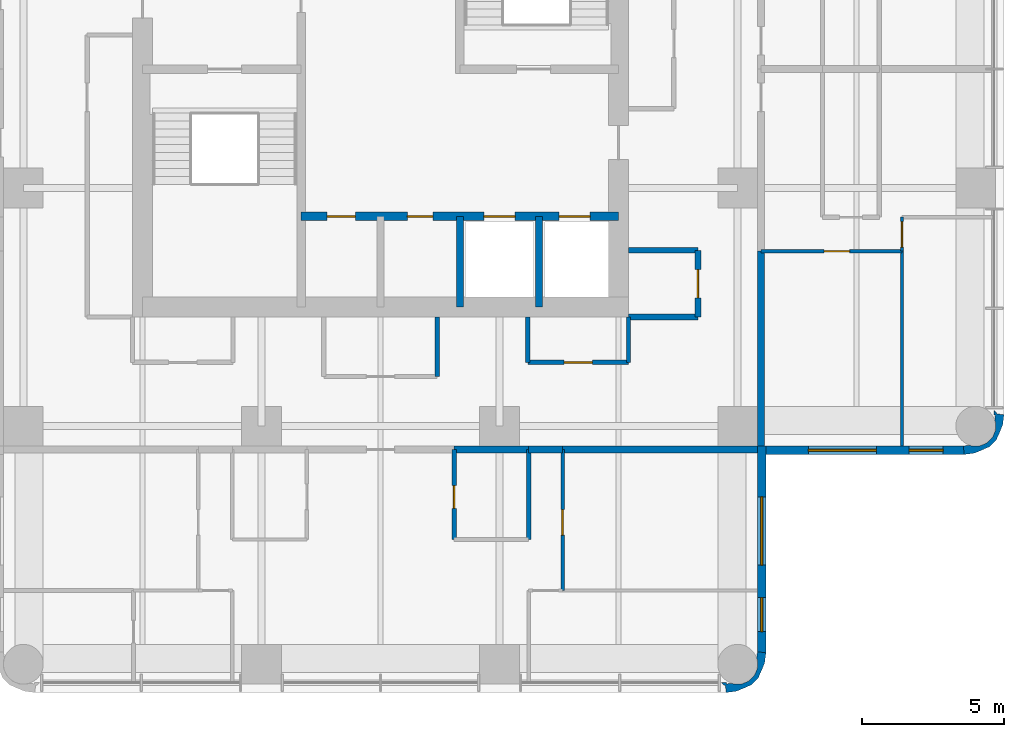
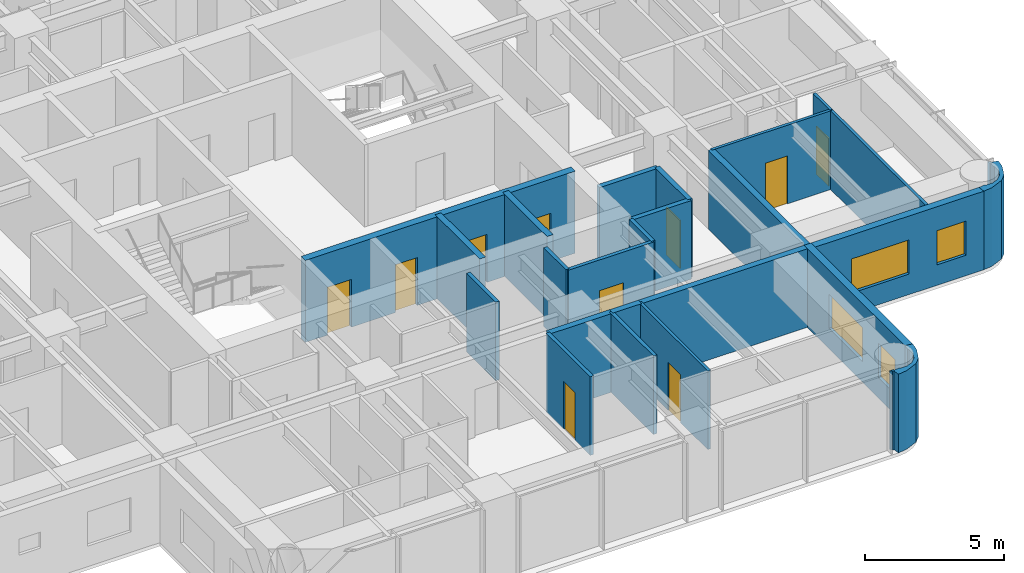
# One storey, part 7 of 11: 24 walls, 10 doors, 4 windows, 14 openings.
"""IFC4 building model written with IfcOpenShell, lengths in metres."""

import ifcopenshell
import ifcopenshell.guid

model = None  # the IFC model being written
_history = None  # IfcOwnerHistory: only IFC2X3 demands one
_inside = {}  # id of a spatial element -> (the spatial element, [elements in it])
_under = {}  # id of a project, library or spatial element -> (it, [spatial elements below it])
_declared = {}  # id of a project -> (the project, [libraries it declares])
_typed = {}  # id of a type object -> (the type object, [elements of that type])
_made_of = {}  # id of a material, layer set ... -> (it, [elements and type objects made of it])


def new_model(schema):
    """Start an empty IFC model of exactly this schema.

    Asked for "IFC4X3", IfcOpenShell would pick the latest addendum, in which some entities
    have other attributes; the version numbers below select the first issue.
    IFC2X3 requires an IfcOwnerHistory on every rooted entity: one is made here for all.
    """
    global model, _history
    if schema == "IFC4X3":
        model = ifcopenshell.file(schema_version=(4, 3, 0, 0))
    else:
        model = ifcopenshell.file(schema=schema)
    _inside.clear()
    _under.clear()
    _declared.clear()
    _typed.clear()
    _made_of.clear()
    _history = None
    if model.schema == "IFC2X3":
        org = make("IfcOrganization", Name="unknown")
        user = make(
            "IfcPersonAndOrganization",
            ThePerson=make("IfcPerson", FamilyName="unknown"),
            TheOrganization=org,
        )
        app = make(
            "IfcApplication",
            ApplicationDeveloper=org,
            Version="unknown",
            ApplicationFullName="unknown",
            ApplicationIdentifier="unknown",
        )
        _history = make(
            "IfcOwnerHistory",
            OwningUser=user,
            OwningApplication=app,
            ChangeAction="ADDED",
            CreationDate=0,
        )
    return model


def make(cls, **values):
    """One entity of the class cls with the attributes given. An attribute that is None is left unset."""
    return model.create_entity(
        cls, **{name: value for name, value in values.items() if value is not None}
    )


def rooted(cls, **values):
    """An entity with a GlobalId (a new one), such as an element, a storey or a relation."""
    return make(cls, GlobalId=ifcopenshell.guid.new(), OwnerHistory=_history, **values)


def si_unit(unit_type, name, prefix=None):
    """IfcSIUnit, for example si_unit("LENGTHUNIT", "METRE", prefix="MILLI")."""
    return make("IfcSIUnit", UnitType=unit_type, Prefix=prefix, Name=name)


def assignment(units):
    """IfcUnitAssignment: the units of a project."""
    return None if units is None else make("IfcUnitAssignment", Units=units)


def point(xyz):
    """IfcCartesianPoint."""
    return None if xyz is None else make("IfcCartesianPoint", Coordinates=xyz)


def direction(xyz):
    """IfcDirection."""
    return None if xyz is None else make("IfcDirection", DirectionRatios=xyz)


def frame(location, z_axis=None, x_axis=None):
    """IfcAxis2Placement3D, a coordinate frame: its origin and axes. An axis left out is left unset."""
    return make(
        "IfcAxis2Placement3D",
        Location=point(location),
        Axis=direction(z_axis),
        RefDirection=direction(x_axis),
    )


def frame_2d(location, x_axis=None):
    """IfcAxis2Placement2D, a coordinate frame in the plane: its origin and x axis."""
    return make(
        "IfcAxis2Placement2D", Location=point(location), RefDirection=direction(x_axis)
    )


def origin():
    """The frame at (0, 0, 0) with its axes left unset."""
    return frame((0.0, 0.0, 0.0))


def place(relative_to, where):
    """IfcLocalPlacement: puts the frame where relative to a parent placement (None: the world)."""
    return make(
        "IfcLocalPlacement", PlacementRelTo=relative_to, RelativePlacement=where
    )


def context(
    kind, dimensions, precision=None, world=None, true_north=None, identifier=None
):
    """IfcGeometricRepresentationContext, for example the 3D "Model" context."""
    return make(
        "IfcGeometricRepresentationContext",
        ContextIdentifier=identifier,
        ContextType=kind,
        CoordinateSpaceDimension=dimensions,
        Precision=precision,
        WorldCoordinateSystem=world,
        TrueNorth=true_north,
    )


def subcontext(parent, identifier, kind, view, scale=None):
    """IfcGeometricRepresentationSubContext, for example "Body" below "Model"."""
    return make(
        "IfcGeometricRepresentationSubContext",
        ContextIdentifier=identifier,
        ContextType=kind,
        ParentContext=parent,
        TargetScale=scale,
        TargetView=view,
    )


def project(units=None, contexts=None):
    """IfcProject with its units and contexts."""
    return rooted(
        "IfcProject",
        Name="project",
        RepresentationContexts=contexts,
        UnitsInContext=assignment(units),
    )


def spatial(cls, under=None, at=None, **own):
    """A site, building, storey or space (cls), placed at a placement, below another one or the project."""
    s = rooted(cls, ObjectPlacement=at, **own)
    if under is not None:
        _under.setdefault(under.id(), (under, []))[1].append(s)
    return s


def polyline(points):
    """IfcPolyline through the points."""
    return make("IfcPolyline", Points=[point(p) for p in points])


def profile(cls, at=None, kind="AREA", **sizes):
    """A parametric profile (cls). Its sizes go by their IFC names, for example OverallWidth=200.0."""
    return make(cls, ProfileType=kind, Position=at, **sizes)


def rectangle(**sizes):
    """IfcRectangleProfileDef."""
    return profile("IfcRectangleProfileDef", **sizes)


def outline(outer, holes=None, kind="AREA"):
    """IfcArbitraryClosedProfileDef: a profile drawn as a closed curve; with holes, ...WithVoids."""
    if holes is None:
        return make("IfcArbitraryClosedProfileDef", ProfileType=kind, OuterCurve=outer)
    return make(
        "IfcArbitraryProfileDefWithVoids",
        ProfileType=kind,
        OuterCurve=outer,
        InnerCurves=holes,
    )


def extrude(swept, where, along, depth):
    """IfcExtrudedAreaSolid: the profile swept, set in the frame where, extruded along a direction by depth."""
    return make(
        "IfcExtrudedAreaSolid",
        SweptArea=swept,
        Position=where,
        ExtrudedDirection=direction(along),
        Depth=depth,
    )


def shape(context_of_items, identifier, shape_type, items):
    """IfcShapeRepresentation: the items that make up one representation, for example the "Body"."""
    return make(
        "IfcShapeRepresentation",
        ContextOfItems=context_of_items,
        RepresentationIdentifier=identifier,
        RepresentationType=shape_type,
        Items=items,
    )


def material(Name=None, Category=None):
    """IfcMaterial."""
    return make("IfcMaterial", Name=Name, Category=Category)


def layer(
    of_material, thickness, ventilated=None, Name=None, Category=None, Priority=None
):
    """IfcMaterialLayer: one layer of a wall or slab, of a material (None: an air gap)."""
    return make(
        "IfcMaterialLayer",
        Material=of_material,
        LayerThickness=thickness,
        IsVentilated=ventilated,
        Name=Name,
        Category=Category,
        Priority=Priority,
    )


def layer_set(layers, Name=None):
    """IfcMaterialLayerSet."""
    return make("IfcMaterialLayerSet", MaterialLayers=layers, LayerSetName=Name)


def made_of(thing, what):
    """Note that an element or type object is made of a material, layer set ...; save() writes the relation."""
    if what is not None:
        _made_of.setdefault(what.id(), (what, []))[1].append(thing)
    return thing


def type_object(cls, material=None, **own):
    """A type object (cls), such as IfcWallType, which elements share."""
    return made_of(rooted(cls, **own), material)


def element(
    cls,
    number,
    at=None,
    inside=None,
    cuts=None,
    type_object=None,
    material=None,
    context=None,
    identifier="Body",
    shape_type=None,
    held_by="IfcProductDefinitionShape",
    body=None,
    shapes=None,
    **own,
):
    """One element of the class cls, such as IfcWall. Its Tag is "e" and its number.

    at: its placement. inside: the storey or other place that contains it. cuts: it is an
    opening in that element (IfcRelVoidsElement). A single representation is given by context,
    identifier, shape_type and body (its items); several are given by shapes. held_by: the class
    of the entity that holds the representations. save() writes the other relations.
    """
    e = rooted(cls, Tag="e%d" % number, ObjectPlacement=at, **own)
    if body is not None:
        shapes = [shape(context, identifier, shape_type, body)]
    if shapes is not None:
        e.Representation = make(held_by, Representations=shapes)
    if inside is not None:
        _inside.setdefault(inside.id(), (inside, []))[1].append(e)
    if cuts is not None:
        rooted(
            "IfcRelVoidsElement", RelatingBuildingElement=cuts, RelatedOpeningElement=e
        )
    if type_object is not None:
        _typed.setdefault(type_object.id(), (type_object, []))[1].append(e)
    return made_of(e, material)


def fill(opening, filler):
    """IfcRelFillsElement: the door or window that sits in an opening."""
    return rooted(
        "IfcRelFillsElement",
        RelatingOpeningElement=opening,
        RelatedBuildingElement=filler,
    )


def aggregate(whole, parts):
    """IfcRelAggregates: a whole, such as a stair, and the parts it consists of."""
    return rooted("IfcRelAggregates", RelatingObject=whole, RelatedObjects=parts)


def save(model, path):
    """Write the relations noted so far, then the file.

    IfcRelAggregates (storeys below a building ...), IfcRelContainedInSpatialStructure (elements
    in a storey), IfcRelDefinesByType, IfcRelAssociatesMaterial and IfcRelDeclares: one each for
    every whole, place, type object, material and project.
    """
    for whole, parts in _under.values():
        aggregate(whole, parts)
    for where, things in _inside.values():
        rooted(
            "IfcRelContainedInSpatialStructure",
            RelatedElements=things,
            RelatingStructure=where,
        )
    for kind, things in _typed.values():
        rooted("IfcRelDefinesByType", RelatedObjects=things, RelatingType=kind)
    for what, things in _made_of.values():
        rooted("IfcRelAssociatesMaterial", RelatedObjects=things, RelatingMaterial=what)
    for by, libraries in _declared.values():
        rooted("IfcRelDeclares", RelatingContext=by, RelatedDefinitions=libraries)
    model.write(path)


model = new_model("IFC4")

# Units and contexts
model_context = context("Model", 3, precision=1e-05, world=origin(), true_north=direction((0.0, 1.0)))
body_context = subcontext(model_context, "Body", "Model", "MODEL_VIEW")
ifc_project = project(units=[si_unit("LENGTHUNIT", "METRE"), si_unit("AREAUNIT", "SQUARE_METRE"), si_unit("VOLUMEUNIT", "CUBIC_METRE"), si_unit("PLANEANGLEUNIT", "RADIAN"), si_unit("MASSUNIT", "GRAM", prefix="KILO")], contexts=[model_context])

# Site, building, storey
site_placement = place(None, origin())
site = spatial("IfcSite", under=ifc_project, at=site_placement, CompositionType="ELEMENT")
building_placement = place(site_placement, origin())
building = spatial("IfcBuilding", under=site, at=building_placement, Name="Torre Alcanfor", CompositionType="ELEMENT")
storey_placement = place(building_placement, frame((0.0, 0.0, 194.10009765625)))
storey = spatial("IfcBuildingStorey", under=building, at=storey_placement, Name="L50", CompositionType="ELEMENT", Elevation=194.10009765625)

# Walls
ifc_material_1 = material(Name="Concrete block masonry, hollow blocks NMX-C-404 9 MPa", Category="masonry")
ifc_layer_1 = layer(ifc_material_1, 0.25)
ifc_layer_set_1 = layer_set([ifc_layer_1], Name="Apartment entrance wall 250 EI 60")
wall_type_1 = type_object("IfcWallType", Name="Apartment entrance wall 250 EI 60", PredefinedType="PARTITIONING", material=ifc_layer_set_1)
wall_1_placement = place(storey_placement, frame((42.824951171875, 22.970947265625, 0.0), z_axis=(0.0, 0.0, 1.0), x_axis=(0.0, -1.0, 0.0)))
element("IfcWall", 1, at=wall_1_placement, inside=storey, type_object=wall_type_1, Name="Partition L50-CORR / L50-E2-BED2", PredefinedType="PARTITIONING", context=body_context, shape_type="SweptSolid", body=[
    extrude(rectangle(XDim=6.870849609375, YDim=0.25, at=frame_2d((3.435546875, 0.0))), origin(), (0.0, 0.0, 1.0), 3.449951171875),
])
wall_2_placement = place(storey_placement, frame((34.62890625, 15.97509765625, 0.0), z_axis=(0.0, 0.0, 1.0), x_axis=(-1.0, 0.0, 0.0)))
element("IfcWall", 2, at=wall_2_placement, inside=storey, type_object=wall_type_1, Name="Partition L50-CORR / L50-SX-BATH2", PredefinedType="PARTITIONING", context=body_context, shape_type="SweptSolid", body=[
    extrude(rectangle(XDim=2.62890625, YDim=0.25, at=frame_2d((1.314453125, 0.0))), origin(), (0.0, 0.0, 1.0), 3.449951171875),
])
wall_3_placement = place(storey_placement, frame((35.8291015625, 15.97509765625, 0.0), z_axis=(0.0, 0.0, 1.0), x_axis=(-1.0, 0.0, 0.0)))
element("IfcWall", 3, at=wall_3_placement, inside=storey, type_object=wall_type_1, Name="Partition L50-CORR / L50-SX-LIVING", PredefinedType="PARTITIONING", context=body_context, shape_type="SweptSolid", body=[
    extrude(rectangle(XDim=1.2001953125, YDim=0.25, at=frame_2d((0.60009765625, 0.0))), origin(), (0.0, 0.0, 1.0), 3.449951171875),
])
wall_4_placement = place(storey_placement, frame((42.699951171875, 15.97509765625, 0.0), z_axis=(0.0, 0.0, 1.0), x_axis=(-1.0, 0.0, 0.0)))
element("IfcWall", 4, at=wall_4_placement, inside=storey, type_object=wall_type_1, Name="Partition L50-CORR / L50-SX-BED2", PredefinedType="PARTITIONING", context=body_context, shape_type="SweptSolid", body=[
    extrude(rectangle(XDim=6.870849609375, YDim=0.25, at=frame_2d((3.435546875, 0.0))), origin(), (0.0, 0.0, 1.0), 3.449951171875),
])

# Wall, opening, door
ifc_material_2 = material(Name="Gypsum board on steel studs", Category="steel")
ifc_layer_2 = layer(ifc_material_2, 0.1201171875)
ifc_layer_set_2 = layer_set([ifc_layer_2], Name="Apartment partition 120")
wall_type_2 = type_object("IfcWallType", Name="Apartment partition 120", PredefinedType="PARTITIONING", material=ifc_layer_set_2)
wall_5_placement = place(storey_placement, frame((47.800048828125, 22.970947265625, 0.0), z_axis=(0.0, 0.0, 1.0), x_axis=(-1.0, 0.0, 0.0)))
wall_5 = element("IfcWall", 5, at=wall_5_placement, inside=storey, type_object=wall_type_2, Name="Partition L50-E2-LIVING / L50-E2-BED2", PredefinedType="PARTITIONING", context=body_context, shape_type="SweptSolid", body=[
    extrude(rectangle(XDim=4.97509765625, YDim=0.1201171875, at=frame_2d((2.487548828125, 0.0))), origin(), (0.0, 0.0, 1.0), 3.449951171875),
])
opening_1_placement = place(wall_5_placement, frame((1.85009765625, 0.0, 0.0)))
opening_1 = element("IfcOpeningElement", 6, at=opening_1_placement, cuts=wall_5, Name="Opening D-R1", PredefinedType="OPENING", context=body_context, shape_type="SweptSolid", body=[
    extrude(rectangle(XDim=0.89990234375, YDim=2.10009765625, at=frame_2d((0.449951171875, 1.050048828125))), frame((0.0, 0.070068359375, 0.0), z_axis=(0.0, -1.0, 0.0), x_axis=(1.0, 0.0, 0.0)), (0.0, 0.0, 1.0), 0.14013671875),
])
ifc_material_3 = material(Name="Timber", Category="wood")
door_type_1 = type_object("IfcDoorType", Name="Internal door 900x2100", OperationType="SINGLE_SWING_LEFT", PredefinedType="DOOR", material=ifc_material_3)
door_1_placement = place(opening_1_placement, origin())
door_1 = element("IfcDoor", 7, at=door_1_placement, inside=storey, type_object=door_type_1, Name="Door L50-E2 bed2", OperationType="SINGLE_SWING_LEFT", OverallHeight=2.10009765625, OverallWidth=0.89990234375, PredefinedType="DOOR", context=body_context, shape_type="SweptSolid", body=[
    extrude(rectangle(XDim=0.89990234375, YDim=2.10009765625, at=frame_2d((0.449951171875, 1.050048828125))), frame((0.0, 0.02490234375, 0.0), z_axis=(0.0, -1.0, 0.0), x_axis=(1.0, 0.0, 0.0)), (0.0, 0.0, 1.0), 0.050048828125),
])
fill(opening_1, door_1)

wall_6_placement = place(storey_placement, frame((47.800048828125, 24.1708984375, 0.0), z_axis=(0.0, 0.0, 1.0), x_axis=(0.0, -1.0, 0.0)))
wall_6 = element("IfcWall", 8, at=wall_6_placement, inside=storey, type_object=wall_type_2, Name="Partition L50-E2-LIVING / L50-E2-MASTER", PredefinedType="PARTITIONING", context=body_context, shape_type="SweptSolid", body=[
    extrude(rectangle(XDim=1.199951171875, YDim=0.1201171875, at=frame_2d((0.60009765625, 0.0))), origin(), (0.0, 0.0, 1.0), 3.449951171875),
])
opening_2_placement = place(wall_6_placement, frame((0.15087890625, 0.0, 0.0)))
opening_2 = element("IfcOpeningElement", 9, at=opening_2_placement, cuts=wall_6, Name="Opening D-R1", PredefinedType="OPENING", context=body_context, shape_type="SweptSolid", body=[
    extrude(rectangle(XDim=0.89990234375, YDim=2.10009765625, at=frame_2d((0.449951171875, 1.050048828125))), frame((0.0, 0.070068359375, 0.0), z_axis=(0.0, -1.0, 0.0), x_axis=(1.0, 0.0, 0.0)), (0.0, 0.0, 1.0), 0.14013671875),
])
door_2_placement = place(opening_2_placement, origin())
door_2 = element("IfcDoor", 10, at=door_2_placement, inside=storey, type_object=door_type_1, Name="Door L50-E2 master", OperationType="SINGLE_SWING_LEFT", OverallHeight=2.10009765625, OverallWidth=0.89990234375, PredefinedType="DOOR", context=body_context, shape_type="SweptSolid", body=[
    extrude(rectangle(XDim=0.89990234375, YDim=2.10009765625, at=frame_2d((0.449951171875, 1.050048828125))), frame((0.0, 0.02490234375, 0.0), z_axis=(0.0, -1.0, 0.0), x_axis=(1.0, 0.0, 0.0)), (0.0, 0.0, 1.0), 0.050048828125),
])
fill(opening_2, door_2)

# Wall
wall_7_placement = place(storey_placement, frame((47.800048828125, 22.970947265625, 0.0), z_axis=(0.0, 0.0, 1.0), x_axis=(0.0, -1.0, 0.0)))
element("IfcWall", 11, at=wall_7_placement, inside=storey, type_object=wall_type_2, Name="Partition L50-E2-BED2 / L50-E2-MASTER", PredefinedType="PARTITIONING", context=body_context, shape_type="SweptSolid", body=[
    extrude(rectangle(XDim=6.870849609375, YDim=0.1201171875, at=frame_2d((3.435546875, 0.0))), origin(), (0.0, 0.0, 1.0), 3.449951171875),
])

# Wall, opening, door
wall_8_placement = place(storey_placement, frame((35.8291015625, 15.97509765625, 0.0), z_axis=(0.0, 0.0, 1.0), x_axis=(0.0, -1.0, 0.0)))
wall_8 = element("IfcWall", 12, at=wall_8_placement, inside=storey, type_object=wall_type_2, Name="Partition L50-SX-LIVING / L50-SX-BED2", PredefinedType="PARTITIONING", context=body_context, shape_type="SweptSolid", body=[
    extrude(rectangle(XDim=4.97509765625, YDim=0.1201171875, at=frame_2d((2.487548828125, 0.0))), origin(), (0.0, 0.0, 1.0), 3.449951171875),
])
opening_3_placement = place(wall_8_placement, frame((2.125, 0.0, 0.0)))
opening_3 = element("IfcOpeningElement", 13, at=opening_3_placement, cuts=wall_8, Name="Opening D-R1", PredefinedType="OPENING", context=body_context, shape_type="SweptSolid", body=[
    extrude(rectangle(XDim=0.89990234375, YDim=2.10009765625, at=frame_2d((0.449951171875, 1.050048828125))), frame((0.0, 0.070068359375, 0.0), z_axis=(0.0, -1.0, 0.0), x_axis=(1.0, 0.0, 0.0)), (0.0, 0.0, 1.0), 0.14013671875),
])
door_3_placement = place(opening_3_placement, origin())
door_3 = element("IfcDoor", 14, at=door_3_placement, inside=storey, type_object=door_type_1, Name="Door L50-SX bed2", OperationType="SINGLE_SWING_RIGHT", OverallHeight=2.10009765625, OverallWidth=0.89990234375, PredefinedType="DOOR", context=body_context, shape_type="SweptSolid", body=[
    extrude(rectangle(XDim=0.89990234375, YDim=2.10009765625, at=frame_2d((0.449951171875, 1.050048828125))), frame((0.0, 0.02490234375, 0.0), z_axis=(0.0, -1.0, 0.0), x_axis=(1.0, 0.0, 0.0)), (0.0, 0.0, 1.0), 0.050048828125),
])
fill(opening_3, door_3)

# Wall, openings, doors
ifc_material_4 = material(Name="Concrete f'c 70 MPa", Category="concrete")
ifc_layer_3 = layer(ifc_material_4, 0.300048828125)
ifc_layer_set_3 = layer_set([ifc_layer_3], Name="Core inner wall 300 f'c70")
wall_type_3 = type_object("IfcWallType", Name="Core inner wall 300 f'c70", PredefinedType="SHEAR", material=ifc_layer_set_3)
wall_9_placement = place(storey_placement, frame((26.60009765625, 24.199951171875, 0.0), z_axis=(0.0, 0.0, 1.0), x_axis=(1.0, 0.0, 0.0)))
wall_9 = element("IfcWall", 15, at=wall_9_placement, inside=storey, type_object=wall_type_3, Name="Core wall Y242 L50", PredefinedType="SHEAR", context=body_context, shape_type="SweptSolid", body=[
    extrude(rectangle(XDim=11.199951171875, YDim=0.300048828125, at=frame_2d((5.60009765625, 0.0))), origin(), (0.0, 0.0, 1.0), 3.599853515625),
])
opening_4_placement = place(wall_9_placement, frame((0.91259765625, 0.0, 0.0)))
opening_4 = element("IfcOpeningElement", 16, at=opening_4_placement, cuts=wall_9, Name="Opening D-K1", PredefinedType="OPENING", context=body_context, shape_type="SweptSolid", body=[
    extrude(rectangle(XDim=1.0, YDim=2.10009765625, at=frame_2d((0.5, 1.050048828125))), frame((0.0, 0.159912109375, 0.0), z_axis=(0.0, -1.0, 0.0), x_axis=(1.0, 0.0, 0.0)), (0.0, 0.0, 1.0), 0.320068359375),
])
opening_5_placement = place(wall_9_placement, frame((3.75, 0.0, 0.0)))
opening_5 = element("IfcOpeningElement", 17, at=opening_5_placement, cuts=wall_9, Name="Opening D-Q1", PredefinedType="OPENING", context=body_context, shape_type="SweptSolid", body=[
    extrude(rectangle(XDim=0.89990234375, YDim=2.10009765625, at=frame_2d((0.449951171875, 1.050048828125))), frame((0.0, 0.159912109375, 0.0), z_axis=(0.0, -1.0, 0.0), x_axis=(1.0, 0.0, 0.0)), (0.0, 0.0, 1.0), 0.320068359375),
])
opening_6_placement = place(wall_9_placement, frame((6.449951171875, 0.0, 0.0)))
opening_6 = element("IfcOpeningElement", 18, at=opening_6_placement, cuts=wall_9, Name="Opening LD1", PredefinedType="OPENING", context=body_context, shape_type="SweptSolid", body=[
    extrude(rectangle(XDim=1.10009765625, YDim=2.10009765625, at=frame_2d((0.550048828125, 1.050048828125))), frame((0.0, 0.159912109375, 0.0), z_axis=(0.0, -1.0, 0.0), x_axis=(1.0, 0.0, 0.0)), (0.0, 0.0, 1.0), 0.320068359375),
])
opening_7_placement = place(wall_9_placement, frame((9.10009765625, 0.0, 0.0)))
opening_7 = element("IfcOpeningElement", 19, at=opening_7_placement, cuts=wall_9, Name="Opening LD1", PredefinedType="OPENING", context=body_context, shape_type="SweptSolid", body=[
    extrude(rectangle(XDim=1.10009765625, YDim=2.10009765625, at=frame_2d((0.550048828125, 1.050048828125))), frame((0.0, 0.159912109375, 0.0), z_axis=(0.0, -1.0, 0.0), x_axis=(1.0, 0.0, 0.0)), (0.0, 0.0, 1.0), 0.320068359375),
])
ifc_material_5 = material(Name="Galvanised steel sheet ASTM A653", Category="steel")
door_type_2 = type_object("IfcDoorType", Name="Core room door FD60 1000x2100", OperationType="SINGLE_SWING_LEFT", PredefinedType="DOOR", material=ifc_material_5)
door_4_placement = place(opening_4_placement, frame((1.0, 0.0, 0.0), z_axis=(0.0, 0.0, 1.0), x_axis=(-1.0, 0.0, 0.0)))
door_4 = element("IfcDoor", 20, at=door_4_placement, inside=storey, type_object=door_type_2, Name="Linen store door L50", OperationType="SINGLE_SWING_RIGHT", OverallHeight=2.10009765625, OverallWidth=1.0, PredefinedType="DOOR", context=body_context, shape_type="SweptSolid", body=[
    extrude(rectangle(XDim=1.0, YDim=2.10009765625, at=frame_2d((0.5, 1.050048828125))), frame((0.0, 0.025146484375, 0.0), z_axis=(0.0, -1.0, 0.0), x_axis=(1.0, 0.0, 0.0)), (0.0, 0.0, 1.0), 0.050048828125),
])
fill(opening_4, door_4)
ifc_material_6 = material(Name="Galvanised steel sheet ASTM A653", Category="steel")
door_type_3 = type_object("IfcDoorType", Name="Lift landing door 1100x2100", OperationType="DOUBLE_DOOR_SLIDING", PredefinedType="DOOR", material=ifc_material_6)
door_5_placement = place(opening_6_placement, origin())
door_5 = element("IfcDoor", 21, at=door_5_placement, inside=storey, type_object=door_type_3, Name="Lift landing door PA3 L50", OperationType="DOUBLE_DOOR_SLIDING", OverallHeight=2.10009765625, OverallWidth=1.10009765625, PredefinedType="DOOR", context=body_context, shape_type="SweptSolid", body=[
    extrude(rectangle(XDim=1.10009765625, YDim=2.10009765625, at=frame_2d((0.550048828125, 1.050048828125))), frame((0.0, 0.02490234375, 0.0), z_axis=(0.0, -1.0, 0.0), x_axis=(1.0, 0.0, 0.0)), (0.0, 0.0, 1.0), 0.050048828125),
])
fill(opening_6, door_5)
door_6_placement = place(opening_7_placement, origin())
door_6 = element("IfcDoor", 22, at=door_6_placement, inside=storey, type_object=door_type_3, Name="Lift landing door PA4 L50", OperationType="DOUBLE_DOOR_SLIDING", OverallHeight=2.10009765625, OverallWidth=1.10009765625, PredefinedType="DOOR", context=body_context, shape_type="SweptSolid", body=[
    extrude(rectangle(XDim=1.10009765625, YDim=2.10009765625, at=frame_2d((0.550048828125, 1.050048828125))), frame((0.0, 0.02490234375, 0.0), z_axis=(0.0, -1.0, 0.0), x_axis=(1.0, 0.0, 0.0)), (0.0, 0.0, 1.0), 0.050048828125),
])
fill(opening_7, door_6)
ifc_material_7 = material(Name="Galvanised steel sheet ASTM A653", Category="steel")
door_type_4 = type_object("IfcDoorType", Name="Riser access door FD120 900x2100", OperationType="SINGLE_SWING_LEFT", PredefinedType="DOOR", material=ifc_material_7)
door_7_placement = place(opening_5_placement, frame((0.89990234375, 0.0, 0.0), z_axis=(0.0, 0.0, 1.0), x_axis=(-1.0, 0.0, 0.0)))
door_7 = element("IfcDoor", 23, at=door_7_placement, inside=storey, type_object=door_type_4, Name="Riser door L50", OperationType="SINGLE_SWING_RIGHT", OverallHeight=2.10009765625, OverallWidth=0.89990234375, PredefinedType="DOOR", context=body_context, shape_type="SweptSolid", body=[
    extrude(rectangle(XDim=0.89990234375, YDim=2.10009765625, at=frame_2d((0.449951171875, 1.050048828125))), frame((0.0, 0.025146484375, 0.0), z_axis=(0.0, -1.0, 0.0), x_axis=(1.0, 0.0, 0.0)), (0.0, 0.0, 1.0), 0.050048828125),
])
fill(opening_5, door_7)

# Walls
ifc_material_8 = material(Name="Concrete f'c 70 MPa", Category="concrete")
ifc_layer_4 = layer(ifc_material_8, 0.25)
ifc_layer_set_4 = layer_set([ifc_layer_4], Name="Core shaft wall 250 f'c70")
wall_type_4 = type_object("IfcWallType", Name="Core shaft wall 250 f'c70", PredefinedType="SHEAR", material=ifc_layer_set_4)
for number, where, z_axis, x_axis, name in (
    (24, (32.199951171875, 21.0, 0.0), (0.0, 0.0, 1.0), (0.0, 1.0, 0.0), "Core wall X322S L50"),
    (25, (35.0, 21.0, 0.0), (0.0, 0.0, 1.0), (0.0, 1.0, 0.0), "Core wall X350S L50"),
):
    element("IfcWall", number, at=place(storey_placement, frame(where, z_axis=z_axis, x_axis=x_axis)), inside=storey, type_object=wall_type_4, Name=name, PredefinedType="SHEAR", context=body_context, shape_type="SweptSolid", body=[
        extrude(rectangle(XDim=3.199951171875, YDim=0.25, at=frame_2d((1.60009765625, 0.0))), origin(), (0.0, 0.0, 1.0), 3.599853515625),
    ])

# Wall, openings, windows
ifc_material_9 = material(Name="Limestone cladding", Category="masonry")
ifc_layer_5 = layer(ifc_material_9, 0.0400390625, Name="Facing")
ifc_material_10 = material(Name="Ventilated air cavity")
ifc_layer_6 = layer(ifc_material_10, 0.02001953125, ventilated=True, Name="Ventilated joint")
ifc_material_11 = material(Name="Mineral wool insulation", Category="insulation")
ifc_layer_7 = layer(ifc_material_11, 0.10009765625, Name="Insulation")
ifc_material_12 = material(Name="Concrete f'c 35 MPa", Category="concrete")
ifc_layer_8 = layer(ifc_material_12, 0.139892578125, Name="Backing")
ifc_layer_set_5 = layer_set([ifc_layer_5, ifc_layer_6, ifc_layer_7, ifc_layer_8], Name="External wall stone-clad 300")
wall_type_5 = type_object("IfcWallType", Name="External wall stone-clad 300", PredefinedType="SOLIDWALL", material=ifc_layer_set_5)
wall_10_placement = place(storey_placement, frame((42.85009765625, 8.800048828125, 0.0), z_axis=(0.0, 0.0, 1.0), x_axis=(0.0, 1.0, 0.0)))
wall_10 = element("IfcWall", 26, at=wall_10_placement, inside=storey, type_object=wall_type_5, Name="External wall L50 6", PredefinedType="SOLIDWALL", context=body_context, shape_type="SweptSolid", body=[
    extrude(rectangle(XDim=7.300048828125, YDim=0.300048828125, at=frame_2d((3.64990234375, 0.0))), origin(), (0.0, 0.0, 1.0), 3.449951171875),
])
opening_8_placement = place(wall_10_placement, frame((3.10009765625, 0.0, 0.89990234375)))
opening_8 = element("IfcOpeningElement", 27, at=opening_8_placement, cuts=wall_10, Name="Opening W1", PredefinedType="OPENING", context=body_context, shape_type="SweptSolid", body=[
    extrude(rectangle(XDim=2.39990234375, YDim=1.5, at=frame_2d((1.199951171875, 0.75))), frame((0.0, 0.159912109375, 0.0), z_axis=(0.0, -1.0, 0.0), x_axis=(1.0, 0.0, 0.0)), (0.0, 0.0, 1.0), 0.320068359375),
])
opening_9_placement = place(wall_10_placement, frame((0.75, 0.0, 0.89990234375)))
opening_9 = element("IfcOpeningElement", 28, at=opening_9_placement, cuts=wall_10, Name="Opening W4", PredefinedType="OPENING", context=body_context, shape_type="SweptSolid", body=[
    extrude(rectangle(XDim=1.199951171875, YDim=1.5, at=frame_2d((0.60009765625, 0.75))), frame((0.0, 0.159912109375, 0.0), z_axis=(0.0, -1.0, 0.0), x_axis=(1.0, 0.0, 0.0)), (0.0, 0.0, 1.0), 0.320068359375),
])
ifc_material_13 = material(Name="Aluminium frame with clear double glazing", Category="aluminium")
window_type_1 = type_object("IfcWindowType", Name="Window bedroom 1200x1500", PartitioningType="SINGLE_PANEL", PredefinedType="WINDOW", material=ifc_material_13)
window_1_placement = place(opening_9_placement, origin())
window_1 = element("IfcWindow", 29, at=window_1_placement, inside=storey, type_object=window_type_1, Name="Window W4 L50-S1", OverallHeight=1.5, OverallWidth=1.199951171875, PartitioningType="SINGLE_PANEL", PredefinedType="WINDOW", context=body_context, shape_type="SweptSolid", body=[
    extrude(rectangle(XDim=1.199951171875, YDim=1.5, at=frame_2d((0.60009765625, 0.75))), frame((0.0, 0.030029296875, 0.0), z_axis=(0.0, -1.0, 0.0), x_axis=(1.0, 0.0, 0.0)), (0.0, 0.0, 1.0), 0.06005859375),
])
fill(opening_9, window_1)
ifc_material_14 = material(Name="Aluminium frame with clear double glazing", Category="aluminium")
window_type_2 = type_object("IfcWindowType", Name="Window bedroom 2400x1500", PartitioningType="SINGLE_PANEL", PredefinedType="WINDOW", material=ifc_material_14)
window_2_placement = place(opening_8_placement, origin())
window_2 = element("IfcWindow", 30, at=window_2_placement, inside=storey, type_object=window_type_2, Name="Window W1 L50-S1", OverallHeight=1.5, OverallWidth=2.39990234375, PartitioningType="SINGLE_PANEL", PredefinedType="WINDOW", context=body_context, shape_type="SweptSolid", body=[
    extrude(rectangle(XDim=2.39990234375, YDim=1.5, at=frame_2d((1.199951171875, 0.75))), frame((0.0, 0.030029296875, 0.0), z_axis=(0.0, -1.0, 0.0), x_axis=(1.0, 0.0, 0.0)), (0.0, 0.0, 1.0), 0.06005859375),
])
fill(opening_8, window_2)

wall_11_placement = place(storey_placement, frame((43.0, 15.949951171875, 0.0), z_axis=(0.0, 0.0, 1.0), x_axis=(1.0, 0.0, 0.0)))
wall_11 = element("IfcWall", 31, at=wall_11_placement, inside=storey, type_object=wall_type_5, Name="External wall L50 7", PredefinedType="SOLIDWALL", context=body_context, shape_type="SweptSolid", body=[
    extrude(rectangle(XDim=7.0, YDim=0.300048828125, at=frame_2d((3.5, 0.0))), origin(), (0.0, 0.0, 1.0), 3.449951171875),
])
opening_10_placement = place(wall_11_placement, frame((1.5, 0.0, 0.89990234375)))
opening_10 = element("IfcOpeningElement", 32, at=opening_10_placement, cuts=wall_11, Name="Opening W1", PredefinedType="OPENING", context=body_context, shape_type="SweptSolid", body=[
    extrude(rectangle(XDim=2.39990234375, YDim=1.5, at=frame_2d((1.199951171875, 0.75))), frame((0.0, 0.159912109375, 0.0), z_axis=(0.0, -1.0, 0.0), x_axis=(1.0, 0.0, 0.0)), (0.0, 0.0, 1.0), 0.320068359375),
])
opening_11_placement = place(wall_11_placement, frame((5.050048828125, 0.0, 0.89990234375)))
opening_11 = element("IfcOpeningElement", 33, at=opening_11_placement, cuts=wall_11, Name="Opening W4", PredefinedType="OPENING", context=body_context, shape_type="SweptSolid", body=[
    extrude(rectangle(XDim=1.199951171875, YDim=1.5, at=frame_2d((0.60009765625, 0.75))), frame((0.0, 0.159912109375, 0.0), z_axis=(0.0, -1.0, 0.0), x_axis=(1.0, 0.0, 0.0)), (0.0, 0.0, 1.0), 0.320068359375),
])
window_3_placement = place(opening_11_placement, origin())
window_3 = element("IfcWindow", 34, at=window_3_placement, inside=storey, type_object=window_type_1, Name="Window W4 L50-E2", OverallHeight=1.5, OverallWidth=1.199951171875, PartitioningType="SINGLE_PANEL", PredefinedType="WINDOW", context=body_context, shape_type="SweptSolid", body=[
    extrude(rectangle(XDim=1.199951171875, YDim=1.5, at=frame_2d((0.60009765625, 0.75))), frame((0.0, 0.030029296875, 0.0), z_axis=(0.0, -1.0, 0.0), x_axis=(1.0, 0.0, 0.0)), (0.0, 0.0, 1.0), 0.06005859375),
])
fill(opening_11, window_3)
window_4_placement = place(opening_10_placement, origin())
window_4 = element("IfcWindow", 35, at=window_4_placement, inside=storey, type_object=window_type_2, Name="Window W1 L50-E2", OverallHeight=1.5, OverallWidth=2.39990234375, PartitioningType="SINGLE_PANEL", PredefinedType="WINDOW", context=body_context, shape_type="SweptSolid", body=[
    extrude(rectangle(XDim=2.39990234375, YDim=1.5, at=frame_2d((1.199951171875, 0.75))), frame((0.0, 0.030029296875, 0.0), z_axis=(0.0, -1.0, 0.0), x_axis=(1.0, 0.0, 0.0)), (0.0, 0.0, 1.0), 0.06005859375),
])
fill(opening_10, window_4)

# Wall
ifc_material_15 = material(Name="Concrete block masonry, hollow blocks NMX-C-404 9 MPa", Category="masonry")
ifc_layer_9 = layer(ifc_material_15, 0.199951171875)
ifc_layer_set_6 = layer_set([ifc_layer_9], Name="Plant room wall 200 EI 60")
wall_type_6 = type_object("IfcWallType", Name="Plant room wall 200 EI 60", PredefinedType="PARTITIONING", material=ifc_layer_set_6)
wall_12_placement = place(storey_placement, frame((38.14990234375, 20.64990234375, 0.0), z_axis=(0.0, 0.0, 1.0), x_axis=(1.0, 0.0, 0.0)))
element("IfcWall", 36, at=wall_12_placement, inside=storey, type_object=wall_type_6, Name="Partition L50-CORR / L50-G03", PredefinedType="PARTITIONING", context=body_context, shape_type="SweptSolid", body=[
    extrude(rectangle(XDim=2.4501953125, YDim=0.199951171875, at=frame_2d((1.22509765625, 0.0))), origin(), (0.0, 0.0, 1.0), 3.449951171875),
])

# Wall, opening, door
wall_13_placement = place(storey_placement, frame((40.60009765625, 20.64990234375, 0.0), z_axis=(0.0, 0.0, 1.0), x_axis=(0.0, 1.0, 0.0)))
wall_13 = element("IfcWall", 37, at=wall_13_placement, inside=storey, type_object=wall_type_6, Name="Partition L50-CORR / L50-G03", PredefinedType="PARTITIONING", context=body_context, shape_type="SweptSolid", body=[
    extrude(rectangle(XDim=2.35009765625, YDim=0.199951171875, at=frame_2d((1.175048828125, 0.0))), origin(), (0.0, 0.0, 1.0), 3.449951171875),
])
opening_12_placement = place(wall_13_placement, frame((0.675048828125, 0.0, 0.0)))
opening_12 = element("IfcOpeningElement", 38, at=opening_12_placement, cuts=wall_13, Name="Opening D-K1", PredefinedType="OPENING", context=body_context, shape_type="SweptSolid", body=[
    extrude(rectangle(XDim=1.0, YDim=2.10009765625, at=frame_2d((0.5, 1.050048828125))), frame((0.0, 0.10986328125, 0.0), z_axis=(0.0, -1.0, 0.0), x_axis=(1.0, 0.0, 0.0)), (0.0, 0.0, 1.0), 0.219970703125),
])
door_8_placement = place(opening_12_placement, origin())
door_8 = element("IfcDoor", 39, at=door_8_placement, inside=storey, type_object=door_type_2, Name="Door L50-G03 refuse and recycling store", OperationType="SINGLE_SWING_LEFT", OverallHeight=2.10009765625, OverallWidth=1.0, PredefinedType="DOOR", context=body_context, shape_type="SweptSolid", body=[
    extrude(rectangle(XDim=1.0, YDim=2.10009765625, at=frame_2d((0.5, 1.050048828125))), frame((0.0, 0.02490234375, 0.0), z_axis=(0.0, -1.0, 0.0), x_axis=(1.0, 0.0, 0.0)), (0.0, 0.0, 1.0), 0.050048828125),
])
fill(opening_12, door_8)

# Walls
wall_14_placement = place(storey_placement, frame((40.60009765625, 23.0, 0.0), z_axis=(0.0, 0.0, 1.0), x_axis=(-1.0, 0.0, 0.0)))
element("IfcWall", 40, at=wall_14_placement, inside=storey, type_object=wall_type_6, Name="Partition L50-CORR / L50-G03", PredefinedType="PARTITIONING", context=body_context, shape_type="SweptSolid", body=[
    extrude(rectangle(XDim=2.4501953125, YDim=0.199951171875, at=frame_2d((1.22509765625, 0.0))), origin(), (0.0, 0.0, 1.0), 3.449951171875),
])
ifc_material_16 = material(Name="Concrete block masonry, hollow blocks NMX-C-404 9 MPa", Category="masonry")
ifc_layer_10 = layer(ifc_material_16, 0.14990234375)
ifc_layer_set_7 = layer_set([ifc_layer_10], Name="Residents' room partition 150")
wall_type_7 = type_object("IfcWallType", Name="Residents' room partition 150", PredefinedType="PARTITIONING", material=ifc_layer_set_7)
wall_15_placement = place(storey_placement, frame((31.39990234375, 18.550048828125, 0.0), z_axis=(0.0, 0.0, 1.0), x_axis=(0.0, 1.0, 0.0)))
element("IfcWall", 41, at=wall_15_placement, inside=storey, type_object=wall_type_7, Name="Partition L50-CORR / L50-G06", PredefinedType="PARTITIONING", context=body_context, shape_type="SweptSolid", body=[
    extrude(rectangle(XDim=2.099853515625, YDim=0.14990234375, at=frame_2d((1.0498046875, 0.0))), origin(), (0.0, 0.0, 1.0), 3.449951171875),
])
wall_16_placement = place(storey_placement, frame((34.60009765625, 20.64990234375, 0.0), z_axis=(0.0, 0.0, 1.0), x_axis=(0.0, -1.0, 0.0)))
element("IfcWall", 42, at=wall_16_placement, inside=storey, type_object=wall_type_7, Name="Partition L50-CORR / L50-G07", PredefinedType="PARTITIONING", context=body_context, shape_type="SweptSolid", body=[
    extrude(rectangle(XDim=1.599853515625, YDim=0.14990234375, at=frame_2d((0.7998046875, 0.0))), origin(), (0.0, 0.0, 1.0), 3.449951171875),
])

# Wall, opening, door
wall_17_placement = place(storey_placement, frame((34.60009765625, 19.050048828125, 0.0), z_axis=(0.0, 0.0, 1.0), x_axis=(1.0, 0.0, 0.0)))
wall_17 = element("IfcWall", 43, at=wall_17_placement, inside=storey, type_object=wall_type_7, Name="Partition L50-CORR / L50-G07", PredefinedType="PARTITIONING", context=body_context, shape_type="SweptSolid", body=[
    extrude(rectangle(XDim=3.5498046875, YDim=0.14990234375, at=frame_2d((1.77490234375, 0.0))), origin(), (0.0, 0.0, 1.0), 3.449951171875),
])
opening_13_placement = place(wall_17_placement, frame((1.27490234375, 0.0, 0.0)))
opening_13 = element("IfcOpeningElement", 44, at=opening_13_placement, cuts=wall_17, Name="Opening D-M1", PredefinedType="OPENING", context=body_context, shape_type="SweptSolid", body=[
    extrude(rectangle(XDim=1.0, YDim=2.10009765625, at=frame_2d((0.5, 1.050048828125))), frame((0.0, 0.0849609375, 0.0), z_axis=(0.0, -1.0, 0.0), x_axis=(1.0, 0.0, 0.0)), (0.0, 0.0, 1.0), 0.169921875),
])
ifc_material_17 = material(Name="Timber", Category="wood")
door_type_5 = type_object("IfcDoorType", Name="Residents' room door 1000x2100", OperationType="SINGLE_SWING_LEFT", PredefinedType="DOOR", material=ifc_material_17)
door_9_placement = place(opening_13_placement, origin())
door_9 = element("IfcDoor", 45, at=door_9_placement, inside=storey, type_object=door_type_5, Name="Door L50-G07 residents' lockers", OperationType="SINGLE_SWING_LEFT", OverallHeight=2.10009765625, OverallWidth=1.0, PredefinedType="DOOR", context=body_context, shape_type="SweptSolid", body=[
    extrude(rectangle(XDim=1.0, YDim=2.10009765625, at=frame_2d((0.5, 1.050048828125))), frame((0.0, 0.02490234375, 0.0), z_axis=(0.0, -1.0, 0.0), x_axis=(1.0, 0.0, 0.0)), (0.0, 0.0, 1.0), 0.050048828125),
])
fill(opening_13, door_9)

# Walls
wall_18_placement = place(storey_placement, frame((38.14990234375, 19.050048828125, 0.0), z_axis=(0.0, 0.0, 1.0), x_axis=(0.0, 1.0, 0.0)))
element("IfcWall", 46, at=wall_18_placement, inside=storey, type_object=wall_type_7, Name="Partition L50-CORR / L50-G07", PredefinedType="PARTITIONING", context=body_context, shape_type="SweptSolid", body=[
    extrude(rectangle(XDim=1.599853515625, YDim=0.14990234375, at=frame_2d((0.7998046875, 0.0))), origin(), (0.0, 0.0, 1.0), 3.449951171875),
])
ifc_layer_11 = layer(ifc_material_9, 0.0400390625, Name="Facing")
ifc_layer_12 = layer(ifc_material_10, 0.02001953125, ventilated=True, Name="Ventilated joint")
ifc_layer_13 = layer(ifc_material_11, 0.10009765625, Name="Insulation")
ifc_layer_14 = layer(ifc_material_12, 0.139892578125, Name="Backing")
ifc_layer_set_8 = layer_set([ifc_layer_11, ifc_layer_12, ifc_layer_13, ifc_layer_14], Name="Rounded corner pier stone-clad 300")
wall_type_8 = type_object("IfcWallType", Name="Rounded corner pier stone-clad 300", PredefinedType="SOLIDWALL", material=ifc_layer_set_8)
wall_19_placement = place(storey_placement, frame((41.487674505, 7.81184816, 0.0), z_axis=(0.0, 0.0, 1.0), x_axis=(0.439933741929, -0.898030234854, 0.0)))
element("IfcWall", 47, at=wall_19_placement, inside=storey, type_object=wall_type_8, Name="Corner pier L50 16", PredefinedType="SOLIDWALL", context=body_context, shape_type="SweptSolid", body=[
    extrude(outline(polyline([(-0.22211106405008596, 1.79285683715578), (-0.38963046514304167, 1.5408036407584151), (-0.3716523207929293, 1.5319963734639448), (-0.19468756344442484, 1.4143112499146666), (-0.11952867709650372, 1.4095716139925836), (0.13084986982823227, 1.2869143060622759), (0.31521775375122, 1.077790939273673), (0.4056918504372342, 0.8140758848288827), (0.38808178724257975, 0.5356161745678794), (0.2654244793122719, 0.2852376276431435), (0.2089428669679142, 0.23542648619150297), (0.14753391384334946, 0.052913590909571956), (0.10500025525893722, 0.07375029645990445), (0.031856974435347366, -0.07555599991115089), (0.1375846098688884, -0.03953909720776211), (0.1818140873587874, -0.00030939302076338215), (0.41939853572309777, -0.08026947549461516), (0.5358164427032454, 0.26614260505761644), (0.5587307592354187, 0.6309028220812384), (0.5547454122460747, 0.6510699721236227), (0.5663481591314005, 0.8356895887147825), (0.4554073490163316, 1.1591818423176052), (0.33330228334154954, 1.2978396679318425), (0.3239786746038034, 1.3165440299102549), (0.08230538830534162, 1.5907138760183892), (-0.22211106405008596, 1.79285683715578)])), origin(), (0.0, 0.0, 1.0), 3.449951171875),
])
wall_20_placement = place(storey_placement, frame((50.110315272, 16.075788181, 0.0), z_axis=(0.0, 0.0, 1.0), x_axis=(0.898030234854, -0.439933741929, 0.0)))
element("IfcWall", 48, at=wall_20_placement, inside=storey, type_object=wall_type_8, Name="Corner pier L50 17", PredefinedType="SOLIDWALL", context=body_context, shape_type="SweptSolid", body=[
    extrude(outline(polyline([(0.6635309497954787, 1.5768652207279077), (0.4261657470939745, 1.4970125439527688), (0.3820436753027886, 1.5360230024769612), (0.27620863417053443, 1.5722591508431565), (0.3493519149941243, 1.422952854472101), (0.3918855735785366, 1.4437895600224335), (0.45340193240181437, 1.2610574190776962), (0.5097761390474591, 1.211465523288862), (0.6324334469777668, 0.961086976364126), (0.6500435101724213, 0.6826272661031227), (0.5595694134864071, 0.41891221165833237), (0.3749822839006132, 0.2096814391710166), (0.12460373697587725, 0.08702413124070879), (0.0497715019894753, 0.08217265535453251), (-0.12751990672054841, -0.03540062823065235), (-0.14527880540785457, -0.04410048982640973), (0.02224059568510124, -0.2961536862237746), (0.3266570480405287, -0.09401072508638375), (0.5683303343389906, 0.18015912102175058), (0.5774346974139304, 0.19875607730145015), (0.6998664144502319, 0.3373020629515939), (0.8106998188665876, 0.6610135622172228), (0.7988778263184556, 0.8455257731096697), (0.8030824189706058, 0.8658003288507671), (0.7801681024384324, 1.230560545874389), (0.6635309497954787, 1.5768652207279077)])), origin(), (0.0, 0.0, 1.0), 3.449951171875),
])

# Wall, opening, door
ifc_material_18 = material(Name="Cement board on steel studs", Category="steel")
ifc_layer_15 = layer(ifc_material_18, 0.14990234375)
ifc_layer_set_9 = layer_set([ifc_layer_15], Name="Wet area partition 150")
wall_type_9 = type_object("IfcWallType", Name="Wet area partition 150", PredefinedType="PARTITIONING", material=ifc_layer_set_9)
wall_21_placement = place(storey_placement, frame((32.0, 12.800048828125, 0.0), z_axis=(0.0, 0.0, 1.0), x_axis=(0.0, 1.0, 0.0)))
wall_21 = element("IfcWall", 49, at=wall_21_placement, inside=storey, type_object=wall_type_9, Name="Partition L50-SX-ZAG / L50-SX-BATH2", PredefinedType="PARTITIONING", context=body_context, shape_type="SweptSolid", body=[
    extrude(rectangle(XDim=3.175048828125, YDim=0.14990234375, at=frame_2d((1.58740234375, 0.0))), origin(), (0.0, 0.0, 1.0), 3.449951171875),
])
opening_14_placement = place(wall_21_placement, frame((1.10009765625, 0.0, 0.0)))
opening_14 = element("IfcOpeningElement", 50, at=opening_14_placement, cuts=wall_21, Name="Opening D-R2", PredefinedType="OPENING", context=body_context, shape_type="SweptSolid", body=[
    extrude(rectangle(XDim=0.800048828125, YDim=2.10009765625, at=frame_2d((0.39990234375, 1.050048828125))), frame((0.0, 0.0849609375, 0.0), z_axis=(0.0, -1.0, 0.0), x_axis=(1.0, 0.0, 0.0)), (0.0, 0.0, 1.0), 0.169921875),
])
ifc_material_19 = material(Name="Timber", Category="wood")
door_type_6 = type_object("IfcDoorType", Name="Bathroom door 800x2100", OperationType="SINGLE_SWING_LEFT", PredefinedType="DOOR", material=ifc_material_19)
door_10_placement = place(opening_14_placement, frame((0.800048828125, 0.0, 0.0), z_axis=(0.0, 0.0, 1.0), x_axis=(-1.0, 0.0, 0.0)))
door_10 = element("IfcDoor", 51, at=door_10_placement, inside=storey, type_object=door_type_6, Name="Door L50-SX bath2", OperationType="SINGLE_SWING_RIGHT", OverallHeight=2.10009765625, OverallWidth=0.800048828125, PredefinedType="DOOR", context=body_context, shape_type="SweptSolid", body=[
    extrude(rectangle(XDim=0.800048828125, YDim=2.10009765625, at=frame_2d((0.400146484375, 1.050048828125))), frame((0.0, 0.025146484375, 0.0), z_axis=(0.0, -1.0, 0.0), x_axis=(1.0, 0.0, 0.0)), (0.0, 0.0, 1.0), 0.050048828125),
])
fill(opening_14, door_10)

# Wall
wall_22_placement = place(storey_placement, frame((34.62890625, 12.800048828125, 0.0), z_axis=(0.0, 0.0, 1.0), x_axis=(0.0, 1.0, 0.0)))
element("IfcWall", 52, at=wall_22_placement, inside=storey, type_object=wall_type_9, Name="Partition L50-SX-BATH2 / L50-SX-LIVING", PredefinedType="PARTITIONING", context=body_context, shape_type="SweptSolid", body=[
    extrude(rectangle(XDim=3.175048828125, YDim=0.14990234375, at=frame_2d((1.58740234375, 0.0))), origin(), (0.0, 0.0, 1.0), 3.449951171875),
])

save(model, "model.ifc")
